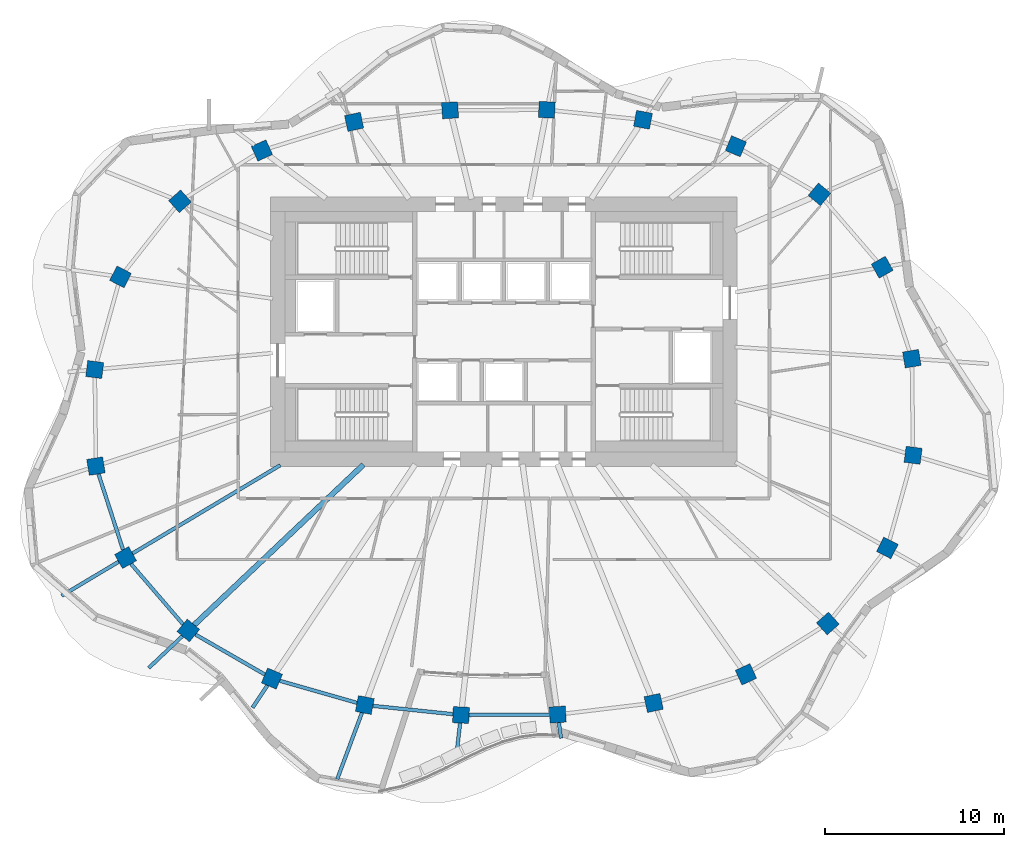
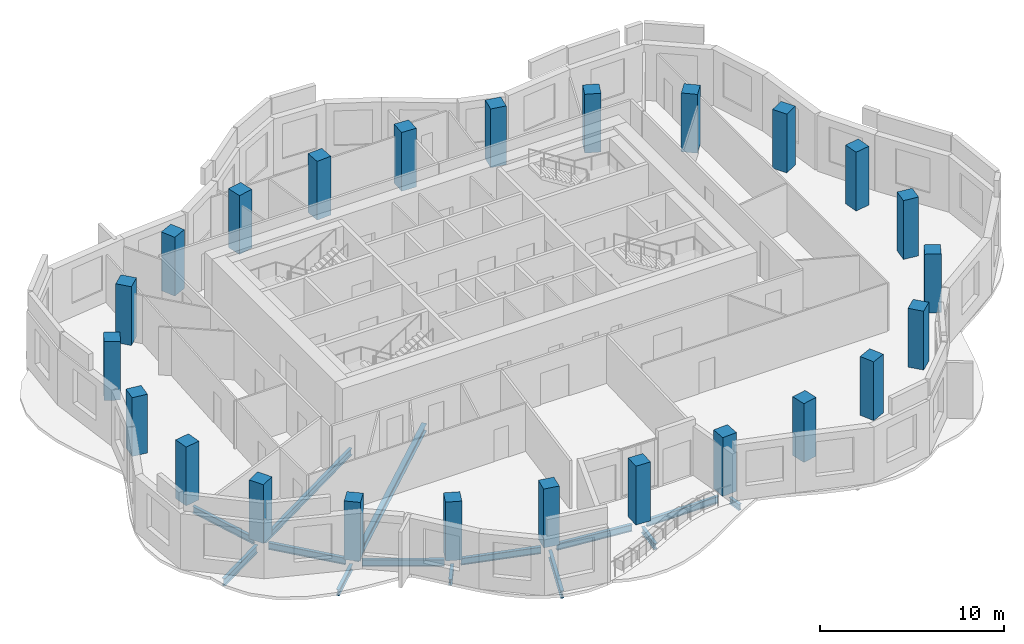
# One storey, part 1 of 12: 24 columns, 14 beams.
"""IFC4 building model written with IfcOpenShell, lengths in metres."""

from ifc_helpers import new_model, si_unit, direction, frame, origin, origin_2d, place, context, subcontext, project, spatial, rectangle, i_section, extrude, material, material_profile, profile_set, type_object, element, save


model = new_model("IFC4")

# Units and contexts
model_context = context("Model", 3, precision=1e-05, world=origin(), true_north=direction((0.0, 1.0)))
body_context = subcontext(model_context, "Body", "Model", "MODEL_VIEW")
ifc_project = project(units=[si_unit("LENGTHUNIT", "METRE"), si_unit("AREAUNIT", "SQUARE_METRE"), si_unit("VOLUMEUNIT", "CUBIC_METRE"), si_unit("PLANEANGLEUNIT", "RADIAN"), si_unit("MASSUNIT", "GRAM", prefix="KILO")], contexts=[model_context])

# Site, building, storey
site_placement = place(None, origin())
site = spatial("IfcSite", under=ifc_project, at=site_placement, CompositionType="ELEMENT")
building_placement = place(site_placement, origin())
building = spatial("IfcBuilding", under=site, at=building_placement, Name="Rubra Terraces Tower", CompositionType="ELEMENT")
storey_placement = place(building_placement, frame((0.0, 0.0, 276.60009765625)))
storey = spatial("IfcBuildingStorey", under=building, at=storey_placement, Name="L68", CompositionType="ELEMENT", Elevation=276.60009765625)

# Columns
ifc_material_1 = material(Name="Concrete C50", Category="concrete")
ifc_material_profile_1 = material_profile(ifc_material_1, rectangle(XDim=0.89990234375, YDim=0.89990234375, at=origin_2d()), Name="RC 900x900")
ifc_profile_set_1 = profile_set([ifc_material_profile_1], Name="Concrete C50")
column_type = type_object("IfcColumnType", Name="RING COLUMN RC 900x900 C50", PredefinedType="COLUMN", material=ifc_profile_set_1)
for number, where, z_axis, x_axis, name in (
    (1, (22.73388671875, 2.992919921875, 0.0), (0.0, 0.0, 1.0), (-0.162062155721, 0.986780551938, 0.0), "column-L68-ring-01"),
    (2, (21.0810546875, 8.090087890625, 0.0), (0.0, 0.0, 1.0), (-0.490161823029, 0.8716314515, 0.0), "column-L68-ring-02"),
    (3, (17.583984375, 12.15087890625, 0.0), (0.0, 0.0, 1.0), (-0.770679191336, 0.637223339216, 0.0), "column-L68-ring-03"),
    (4, (12.927001953125, 14.83203125, 0.0), (0.0, 0.0, 1.0), (-0.92110553102, 0.389312985558, 0.0), "column-L68-ring-04"),
    (5, (7.7509765625, 16.306884765625, 0.0), (0.0, 0.0, 1.0), (-0.981936574306, 0.189210369799, 0.0), "column-L68-ring-05"),
    (6, (2.39208984375, 16.862060546875, 0.0), (0.0, 0.0, 1.0), (-0.998791416829, 0.049149828786, 0.0), "column-L68-ring-06"),
    (7, (-2.9990234375, 16.8359375, 0.0), (0.0, 0.0, 1.0), (-0.998059443319, -0.062268351524, 0.0), "column-L68-ring-07"),
    (8, (-8.346923828125, 16.19189453125, 0.0), (0.0, 0.0, 1.0), (-0.977944102772, -0.208866780156, 0.0), "column-L68-ring-08"),
    (9, (-13.487060546875, 14.595947265625, 0.0), (0.0, 0.0, 1.0), (-0.90972649622, -0.415208022652, 0.0), "column-L68-ring-09"),
    (10, (-18.051025390625, 11.762939453125, 0.0), (0.0, 0.0, 1.0), (-0.7456420961, -0.66634665492, 0.0), "column-L68-ring-10"),
    (11, (-21.366943359375, 7.553955078125, 0.0), (0.0, 0.0, 1.0), (-0.452078869866, -0.891977968013, 0.0), "column-L68-ring-11"),
    (12, (-22.802001953125, 2.388916015625, 0.0), (0.0, 0.0, 1.0), (-0.128535191473, -0.991704948336, 0.0), "column-L68-ring-12"),
    (13, (-22.73388671875, -2.992919921875, 0.0), (0.0, 0.0, 1.0), (0.162062155721, -0.986780551938, 0.0), "column-L68-ring-13"),
    (14, (-21.0810546875, -8.090087890625, 0.0), (0.0, 0.0, 1.0), (0.490161823029, -0.8716314515, 0.0), "column-L68-ring-14"),
    (15, (-17.583984375, -12.15087890625, 0.0), (0.0, 0.0, 1.0), (0.770679191336, -0.637223339216, 0.0), "column-L68-ring-15"),
    (16, (-12.927001953125, -14.83203125, 0.0), (0.0, 0.0, 1.0), (0.92110553102, -0.389312985558, 0.0), "column-L68-ring-16"),
    (17, (-7.7509765625, -16.306884765625, 0.0), (0.0, 0.0, 1.0), (0.981936574306, -0.189210369799, 0.0), "column-L68-ring-17"),
    (18, (-2.39208984375, -16.862060546875, 0.0), (0.0, 0.0, 1.0), (0.998791416829, -0.049149828786, 0.0), "column-L68-ring-18"),
    (19, (2.9990234375, -16.8359375, 0.0), (0.0, 0.0, 1.0), (0.998059443319, 0.062268351524, 0.0), "column-L68-ring-19"),
    (20, (8.346923828125, -16.19189453125, 0.0), (0.0, 0.0, 1.0), (0.977944102772, 0.208866780156, 0.0), "column-L68-ring-20"),
    (21, (13.487060546875, -14.595947265625, 0.0), (0.0, 0.0, 1.0), (0.90972649622, 0.415208022652, 0.0), "column-L68-ring-21"),
    (22, (18.051025390625, -11.762939453125, 0.0), (0.0, 0.0, 1.0), (0.7456420961, 0.66634665492, 0.0), "column-L68-ring-22"),
    (23, (21.366943359375, -7.553955078125, 0.0), (0.0, 0.0, 1.0), (0.452078869866, 0.891977968013, 0.0), "column-L68-ring-23"),
    (24, (22.802001953125, -2.388916015625, 0.0), (0.0, 0.0, 1.0), (0.128535191473, 0.991704948336, 0.0), "column-L68-ring-24"),
):
    element("IfcColumn", number, at=place(storey_placement, frame(where, z_axis=z_axis, x_axis=x_axis)), inside=storey, type_object=column_type, Name=name, PredefinedType="COLUMN", context=body_context, shape_type="SweptSolid", body=[
        extrude(rectangle(XDim=0.89990234375, YDim=0.89990234375, at=origin_2d()), origin(), (0.0, 0.0, 1.0), 3.89990234375),
    ])

# Beams
ifc_material_2 = material(Name="Steel Q355B", Category="steel")
ifc_material_profile_2 = material_profile(ifc_material_2, i_section(OverallWidth=0.199951171875, OverallDepth=0.39990234375, WebThickness=0.008056640625, FlangeThickness=0.012939453125, at=origin_2d()), Name="HN 400x200x8x13")
ifc_profile_set_2 = profile_set([ifc_material_profile_2], Name="Steel Q355B")
beam_type_1 = type_object("IfcBeamType", Name="CANTILEVER BEAM HN 400x200x8x13", PredefinedType="BEAM", material=ifc_profile_set_2)
beam_1_placement = place(storey_placement, frame((-17.9130859375, -12.462890625, -0.400146484375), z_axis=(-0.72623966758, -0.687441594053, 0.0), x_axis=(0.687441594053, -0.72623966758, 0.0)))
element("IfcBeam", 25, at=beam_1_placement, inside=storey, type_object=beam_type_1, Name="beam-L68-cant-15", PredefinedType="BEAM", context=body_context, shape_type="SweptSolid", body=[
    extrude(i_section(OverallWidth=0.199951171875, OverallDepth=0.39990234375, WebThickness=0.008056640625, FlangeThickness=0.012939453125, at=origin_2d()), origin(), (0.0, 0.0, 1.0), 2.592529296875),
])
beam_2_placement = place(storey_placement, frame((-13.181884765625, -15.212890625, -0.400146484375), z_axis=(-0.555604925866, -0.831446430237, 0.0), x_axis=(0.831446430237, -0.555604925866, 0.0)))
element("IfcBeam", 26, at=beam_2_placement, inside=storey, type_object=beam_type_1, Name="beam-L68-cant-16", PredefinedType="BEAM", context=body_context, shape_type="SweptSolid", body=[
    extrude(i_section(OverallWidth=0.199951171875, OverallDepth=0.39990234375, WebThickness=0.008056640625, FlangeThickness=0.012939453125, at=origin_2d()), origin(), (0.0, 0.0, 1.0), 1.493896484375),
])
beam_3_placement = place(storey_placement, frame((-2.44189453125, -17.31005859375, -0.400146484375), z_axis=(-0.111702290229, -0.99374171612, 0.0), x_axis=(0.99374171612, -0.111702290229, 0.0)))
element("IfcBeam", 27, at=beam_3_placement, inside=storey, type_object=beam_type_1, Name="beam-L68-cant-18", PredefinedType="BEAM", context=body_context, shape_type="SweptSolid", body=[
    extrude(i_section(OverallWidth=0.199951171875, OverallDepth=0.39990234375, WebThickness=0.008056640625, FlangeThickness=0.012939453125, at=origin_2d()), origin(), (0.0, 0.0, 1.0), 1.792236328125),
])
ifc_material_profile_3 = material_profile(ifc_material_2, i_section(OverallWidth=0.198974609375, OverallDepth=0.49609375, WebThickness=0.009033203125, FlangeThickness=0.013916015625, at=origin_2d()), Name="HN 496x199x9x14")
ifc_profile_set_3 = profile_set([ifc_material_profile_3], Name="Steel Q355B")
beam_type_2 = type_object("IfcBeamType", Name="CANTILEVER BEAM HN 496x199x9x14", PredefinedType="BEAM", material=ifc_profile_set_3)
beam_4_placement = place(storey_placement, frame((-21.467041015625, -8.321044921875, -0.447998046875), z_axis=(-0.858568697233, -0.512698539232, 0.0), x_axis=(0.512698539232, -0.858568697233, 0.0)))
element("IfcBeam", 28, at=beam_4_placement, inside=storey, type_object=beam_type_2, Name="beam-L68-cant-14", PredefinedType="BEAM", context=body_context, shape_type="SweptSolid", body=[
    extrude(i_section(OverallWidth=0.198974609375, OverallDepth=0.49609375, WebThickness=0.009033203125, FlangeThickness=0.013916015625, at=origin_2d()), origin(), (0.0, 0.0, 1.0), 3.697998046875),
])
beam_5_placement = place(storey_placement, frame((-7.909912109375, -16.735107421875, -0.447998046875), z_axis=(-0.349192039845, -0.937051182865, 0.0), x_axis=(0.937051182865, -0.349192039845, 0.0)))
element("IfcBeam", 29, at=beam_5_placement, inside=storey, type_object=beam_type_2, Name="beam-L68-cant-17", PredefinedType="BEAM", context=body_context, shape_type="SweptSolid", body=[
    extrude(i_section(OverallWidth=0.198974609375, OverallDepth=0.49609375, WebThickness=0.009033203125, FlangeThickness=0.013916015625, at=origin_2d()), origin(), (0.0, 0.0, 1.0), 3.949462890625),
])
ifc_material_profile_4 = material_profile(ifc_material_2, i_section(OverallWidth=0.199951171875, OverallDepth=0.39990234375, WebThickness=0.008056640625, FlangeThickness=0.012939453125, at=origin_2d()), Name="HN 400x200x8x13")
ifc_profile_set_4 = profile_set([ifc_material_profile_4], Name="Steel Q355B")
beam_type_3 = type_object("IfcBeamType", Name="CANTILEVER STUB HN 400x200x8x13", PredefinedType="BEAM", material=ifc_profile_set_4)
beam_6_placement = place(storey_placement, frame((3.06201171875, -17.282958984375, -0.400146484375), z_axis=(0.139254831399, -0.990256578838, 0.0), x_axis=(0.990256578838, 0.139254831399, 0.0)))
element("IfcBeam", 30, at=beam_6_placement, inside=storey, type_object=beam_type_3, Name="beam-L68-cant-19", PredefinedType="BEAM", context=body_context, shape_type="SweptSolid", body=[
    extrude(i_section(OverallWidth=0.199951171875, OverallDepth=0.39990234375, WebThickness=0.008056640625, FlangeThickness=0.012939453125, at=origin_2d()), origin(), (0.0, 0.0, 1.0), 0.883544921875),
])
ifc_material_profile_5 = material_profile(ifc_material_2, i_section(OverallWidth=0.300048828125, OverallDepth=0.48193359375, WebThickness=0.010986328125, FlangeThickness=0.014892578125, at=origin_2d()), Name="HM 482x300x11x15")
ifc_profile_set_5 = profile_set([ifc_material_profile_5], Name="Steel Q355B")
beam_type_4 = type_object("IfcBeamType", Name="FLOOR BEAM HM 482x300x11x15", PredefinedType="BEAM", material=ifc_profile_set_5)
beam_7_placement = place(storey_placement, frame((-17.2548828125, -11.839111328125, -0.441162109375), z_axis=(0.726101482513, 0.687587548674, 0.0), x_axis=(-0.687587548674, 0.726101482513, 0.0)))
element("IfcBeam", 31, at=beam_7_placement, inside=storey, type_object=beam_type_4, Name="beam-L68-floor-15", PredefinedType="BEAM", context=body_context, shape_type="SweptSolid", body=[
    extrude(i_section(OverallWidth=0.300048828125, OverallDepth=0.48193359375, WebThickness=0.010986328125, FlangeThickness=0.014892578125, at=origin_2d()), origin(), (0.0, 0.0, 1.0), 12.97607421875),
])
ifc_material_profile_6 = material_profile(ifc_material_2, i_section(OverallWidth=0.198974609375, OverallDepth=0.446044921875, WebThickness=0.008056640625, FlangeThickness=0.011962890625, at=origin_2d()), Name="HN 446x199x8x12")
ifc_profile_set_6 = profile_set([ifc_material_profile_6], Name="Steel Q355B")
beam_type_5 = type_object("IfcBeamType", Name="FLOOR BEAM HN 446x199x8x12", PredefinedType="BEAM", material=ifc_profile_set_6)
beam_8_placement = place(storey_placement, frame((-20.695068359375, -7.85888671875, -0.423095703125), z_axis=(0.858552756119, 0.512725233396, 0.0), x_axis=(-0.512725233396, 0.858552756119, 0.0)))
element("IfcBeam", 32, at=beam_8_placement, inside=storey, type_object=beam_type_5, Name="beam-L68-floor-14", PredefinedType="BEAM", context=body_context, shape_type="SweptSolid", body=[
    extrude(i_section(OverallWidth=0.198974609375, OverallDepth=0.446044921875, WebThickness=0.008056640625, FlangeThickness=0.011962890625, at=origin_2d()), origin(), (0.0, 0.0, 1.0), 9.59765625),
])
ifc_material_profile_7 = material_profile(ifc_material_2, i_section(OverallWidth=0.198974609375, OverallDepth=0.446044921875, WebThickness=0.008056640625, FlangeThickness=0.011962890625, at=origin_2d()), Name="HN 446x199x8x12")
ifc_profile_set_7 = profile_set([ifc_material_profile_7], Name="Steel Q355B")
beam_type_6 = type_object("IfcBeamType", Name="SPANDREL BEAM HN 446x199x8x12", PredefinedType="SPANDREL", material=ifc_profile_set_7)
beam_9_placement = place(storey_placement, frame((-22.593994140625, -3.426025390625, -0.423095703125), z_axis=(0.308536942246, -0.951212360764, 0.0), x_axis=(0.951212360764, 0.308536942246, 0.0)))
element("IfcBeam", 33, at=beam_9_placement, inside=storey, type_object=beam_type_6, Name="beam-L68-spandrel-13", PredefinedType="SPANDREL", context=body_context, shape_type="SweptSolid", body=[
    extrude(i_section(OverallWidth=0.198974609375, OverallDepth=0.446044921875, WebThickness=0.008056640625, FlangeThickness=0.011962890625, at=origin_2d()), origin(), (0.0, 0.0, 1.0), 4.44384765625),
])
beam_10_placement = place(storey_placement, frame((-20.781005859375, -8.43798828125, -0.423095703125), z_axis=(0.652473175209, -0.757811820726, 0.0), x_axis=(0.757811820726, 0.652473175209, 0.0)))
element("IfcBeam", 34, at=beam_10_placement, inside=storey, type_object=beam_type_6, Name="beam-L68-spandrel-14", PredefinedType="SPANDREL", context=body_context, shape_type="SweptSolid", body=[
    extrude(i_section(OverallWidth=0.198974609375, OverallDepth=0.446044921875, WebThickness=0.008056640625, FlangeThickness=0.011962890625, at=origin_2d()), origin(), (0.0, 0.0, 1.0), 4.44287109375),
])
beam_11_placement = place(storey_placement, frame((-17.18798828125, -12.37890625, -0.423095703125), z_axis=(0.866616005945, -0.498975648945, 0.0), x_axis=(0.498975648945, 0.866616005945, 0.0)))
element("IfcBeam", 35, at=beam_11_placement, inside=storey, type_object=beam_type_6, Name="beam-L68-spandrel-15", PredefinedType="SPANDREL", context=body_context, shape_type="SweptSolid", body=[
    extrude(i_section(OverallWidth=0.198974609375, OverallDepth=0.446044921875, WebThickness=0.008056640625, FlangeThickness=0.011962890625, at=origin_2d()), origin(), (0.0, 0.0, 1.0), 4.463134765625),
])
beam_12_placement = place(storey_placement, frame((-12.490966796875, -14.9560546875, -0.423095703125), z_axis=(0.961713024643, -0.27405849418, 0.0), x_axis=(0.27405849418, 0.961713024643, 0.0)))
element("IfcBeam", 36, at=beam_12_placement, inside=storey, type_object=beam_type_6, Name="beam-L68-spandrel-16", PredefinedType="SPANDREL", context=body_context, shape_type="SweptSolid", body=[
    extrude(i_section(OverallWidth=0.198974609375, OverallDepth=0.446044921875, WebThickness=0.008056640625, FlangeThickness=0.011962890625, at=origin_2d()), origin(), (0.0, 0.0, 1.0), 4.477294921875),
])
beam_13_placement = place(storey_placement, frame((-7.302001953125, -16.35400390625, -0.423095703125), z_axis=(0.994684107425, -0.102973425873, 0.0), x_axis=(0.102973425873, 0.994684107425, 0.0)))
element("IfcBeam", 37, at=beam_13_placement, inside=storey, type_object=beam_type_6, Name="beam-L68-spandrel-17", PredefinedType="SPANDREL", context=body_context, shape_type="SweptSolid", body=[
    extrude(i_section(OverallWidth=0.198974609375, OverallDepth=0.446044921875, WebThickness=0.008056640625, FlangeThickness=0.011962890625, at=origin_2d()), origin(), (0.0, 0.0, 1.0), 4.48583984375),
])
beam_14_placement = place(storey_placement, frame((-1.94091796875, -16.860107421875, -0.423095703125), z_axis=(0.999987753188, 0.004949088244, 0.0), x_axis=(-0.004949088244, 0.999987753188, 0.0)))
element("IfcBeam", 38, at=beam_14_placement, inside=storey, type_object=beam_type_6, Name="beam-L68-spandrel-18", PredefinedType="SPANDREL", context=body_context, shape_type="SweptSolid", body=[
    extrude(i_section(OverallWidth=0.198974609375, OverallDepth=0.446044921875, WebThickness=0.008056640625, FlangeThickness=0.011962890625, at=origin_2d()), origin(), (0.0, 0.0, 1.0), 4.489013671875),
])

save(model, "model.ifc")
